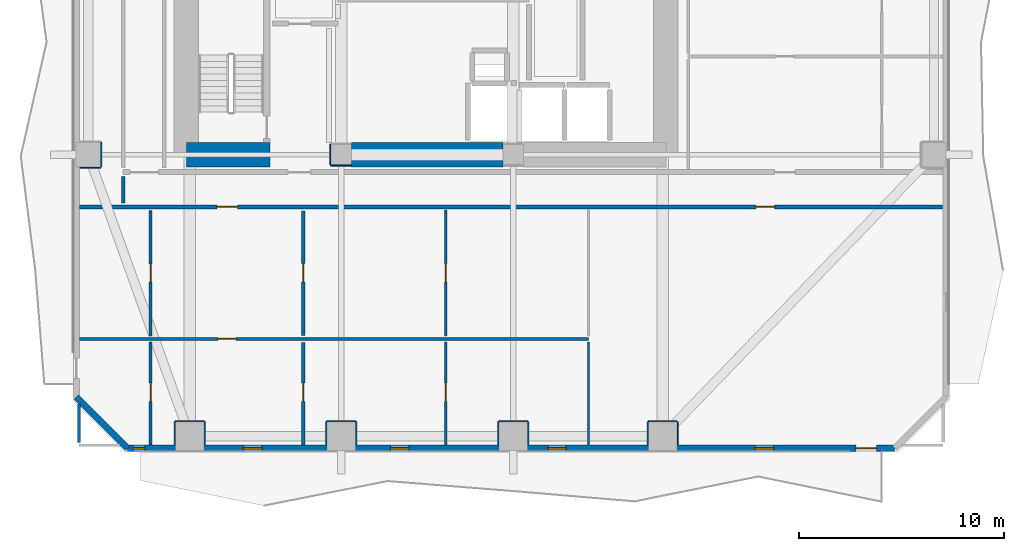
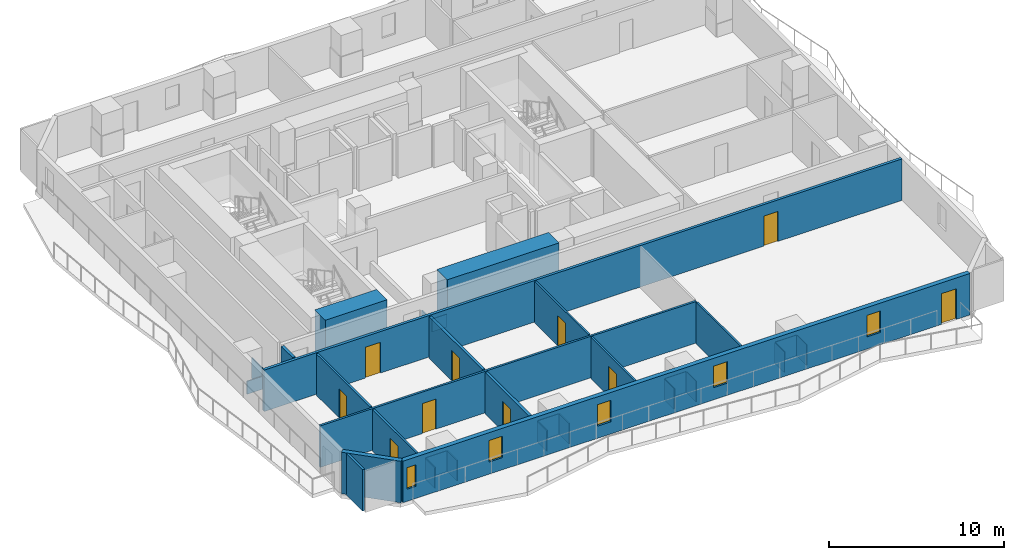
# One storey, part 2 of 9: 31 walls, 10 doors, 5 windows, 15 openings.
"""IFC4 building model written with IfcOpenShell, lengths in metres."""

from ifc_helpers import new_model, si_unit, direction, frame, frame_2d, origin, place, context, subcontext, project, spatial, rectangle, extrude, material, layer, layer_set, type_object, element, fill, save


model = new_model("IFC4")

# Units and contexts
model_context = context("Model", 3, precision=1e-05, world=origin(), true_north=direction((0.0, 1.0)))
body_context = subcontext(model_context, "Body", "Model", "MODEL_VIEW")
ifc_project = project(units=[si_unit("LENGTHUNIT", "METRE"), si_unit("AREAUNIT", "SQUARE_METRE"), si_unit("VOLUMEUNIT", "CUBIC_METRE"), si_unit("PLANEANGLEUNIT", "RADIAN"), si_unit("MASSUNIT", "GRAM", prefix="KILO")], contexts=[model_context])

# Site, building, storey
site_placement = place(None, origin())
site = spatial("IfcSite", under=ifc_project, at=site_placement, CompositionType="ELEMENT")
building_placement = place(site_placement, origin())
building = spatial("IfcBuilding", under=site, at=building_placement, Name="Solanera Arch Residences", CompositionType="ELEMENT")
storey_placement = place(building_placement, frame((0.0, 0.0, 58.52001953125)))
storey = spatial("IfcBuildingStorey", under=building, at=storey_placement, Name="L16", CompositionType="ELEMENT", Elevation=58.52001953125)

# Walls
ifc_material_1 = material(Name="Fire-Rated Gypsum Stud Partition", Category="gypsum")
ifc_layer_1 = layer(ifc_material_1, 0.06005859375)
ifc_layer_set_1 = layer_set([ifc_layer_1], Name="Fire-Rated Gypsum Stud Partition")
wall_type_1 = type_object("IfcWallType", Name="Column Acoustic Furring Wall 60", PredefinedType="PARTITIONING", material=ifc_layer_set_1)
wall_1_placement = place(storey_placement, frame((20.300048828125, 21.468017578125, 0.0), z_axis=(0.0, 0.0, 1.0), x_axis=(1.0, 0.0, 0.0)))
element("IfcWall", 1, at=wall_1_placement, inside=storey, type_object=wall_type_1, Name="L16 Column Furring 1S", PredefinedType="PARTITIONING", context=body_context, shape_type="SweptSolid", body=[
    extrude(rectangle(XDim=0.989990234375, YDim=0.06005859375, at=frame_2d((0.4951171875, 0.0))), origin(), (0.0, 0.0, 1.0), 0.905029296875),
])
wall_2_placement = place(storey_placement, frame((20.26806640625, 21.5, 0.0), z_axis=(0.0, 0.0, 1.0), x_axis=(0.0, 1.0, 0.0)))
element("IfcWall", 2, at=wall_2_placement, inside=storey, type_object=wall_type_1, Name="L16 Column Furring 1W", PredefinedType="PARTITIONING", context=body_context, shape_type="SweptSolid", body=[
    extrude(rectangle(XDim=1.0, YDim=0.06005859375, at=frame_2d((0.5, 0.0))), origin(), (0.0, 0.0, 1.0), 0.905029296875),
])
wall_3_placement = place(storey_placement, frame((12.699951171875, 8.98193359375, 0.0), z_axis=(0.0, 0.0, 1.0), x_axis=(1.0, 0.0, 0.0)))
element("IfcWall", 3, at=wall_3_placement, inside=storey, type_object=wall_type_1, Name="L16 Column Furring 9N", PredefinedType="PARTITIONING", context=body_context, shape_type="SweptSolid", body=[
    extrude(rectangle(XDim=1.400146484375, YDim=0.06005859375, at=frame_2d((0.7001953125, 0.0))), origin(), (0.0, 0.0, 1.0), 1.449951171875),
])
for number, where, z_axis, x_axis, name in (
    (4, (12.66796875, 7.830078125, 0.0), (0.0, 0.0, 1.0), (0.0, 1.0, 0.0), "L16 Column Furring 9W"),
    (5, (14.132080078125, 7.830078125, 0.0), (0.0, 0.0, 1.0), (0.0, 1.0, 0.0), "L16 Column Furring 9E"),
):
    element("IfcWall", number, at=place(storey_placement, frame(where, z_axis=z_axis, x_axis=x_axis)), inside=storey, type_object=wall_type_1, Name=name, PredefinedType="PARTITIONING", context=body_context, shape_type="SweptSolid", body=[
        extrude(rectangle(XDim=1.119873046875, YDim=0.06005859375, at=frame_2d((0.56005859375, 0.0))), origin(), (0.0, 0.0, 1.0), 1.449951171875),
    ])
wall_4_placement = place(storey_placement, frame((20.10009765625, 8.98193359375, 0.0), z_axis=(0.0, 0.0, 1.0), x_axis=(1.0, 0.0, 0.0)))
element("IfcWall", 6, at=wall_4_placement, inside=storey, type_object=wall_type_1, Name="L16 Column Furring 11N", PredefinedType="PARTITIONING", context=body_context, shape_type="SweptSolid", body=[
    extrude(rectangle(XDim=1.39990234375, YDim=0.06005859375, at=frame_2d((0.699951171875, 0.0))), origin(), (0.0, 0.0, 1.0), 1.449951171875),
])
for number, where, z_axis, x_axis, name in (
    (7, (20.068115234375, 7.830078125, 0.0), (0.0, 0.0, 1.0), (0.0, 1.0, 0.0), "L16 Column Furring 11W"),
    (8, (21.531982421875, 7.830078125, 0.0), (0.0, 0.0, 1.0), (0.0, 1.0, 0.0), "L16 Column Furring 11E"),
):
    element("IfcWall", number, at=place(storey_placement, frame(where, z_axis=z_axis, x_axis=x_axis)), inside=storey, type_object=wall_type_1, Name=name, PredefinedType="PARTITIONING", context=body_context, shape_type="SweptSolid", body=[
        extrude(rectangle(XDim=1.119873046875, YDim=0.06005859375, at=frame_2d((0.56005859375, 0.0))), origin(), (0.0, 0.0, 1.0), 1.449951171875),
    ])
wall_5_placement = place(storey_placement, frame((28.5, 8.98193359375, 0.0), z_axis=(0.0, 0.0, 1.0), x_axis=(1.0, 0.0, 0.0)))
element("IfcWall", 9, at=wall_5_placement, inside=storey, type_object=wall_type_1, Name="L16 Column Furring 13N", PredefinedType="PARTITIONING", context=body_context, shape_type="SweptSolid", body=[
    extrude(rectangle(XDim=1.39990234375, YDim=0.06005859375, at=frame_2d((0.699951171875, 0.0))), origin(), (0.0, 0.0, 1.0), 1.449951171875),
])
for number, where, z_axis, x_axis, name in (
    (10, (28.468017578125, 7.830078125, 0.0), (0.0, 0.0, 1.0), (0.0, 1.0, 0.0), "L16 Column Furring 13W"),
    (11, (29.931884765625, 7.830078125, 0.0), (0.0, 0.0, 1.0), (0.0, 1.0, 0.0), "L16 Column Furring 13E"),
):
    element("IfcWall", number, at=place(storey_placement, frame(where, z_axis=z_axis, x_axis=x_axis)), inside=storey, type_object=wall_type_1, Name=name, PredefinedType="PARTITIONING", context=body_context, shape_type="SweptSolid", body=[
        extrude(rectangle(XDim=1.119873046875, YDim=0.06005859375, at=frame_2d((0.56005859375, 0.0))), origin(), (0.0, 0.0, 1.0), 1.449951171875),
    ])
wall_6_placement = place(storey_placement, frame((35.800048828125, 8.98193359375, 0.0), z_axis=(0.0, 0.0, 1.0), x_axis=(1.0, 0.0, 0.0)))
element("IfcWall", 12, at=wall_6_placement, inside=storey, type_object=wall_type_1, Name="L16 Column Furring 15N", PredefinedType="PARTITIONING", context=body_context, shape_type="SweptSolid", body=[
    extrude(rectangle(XDim=1.39990234375, YDim=0.06005859375, at=frame_2d((0.699951171875, 0.0))), origin(), (0.0, 0.0, 1.0), 1.449951171875),
])
for number, where, z_axis, x_axis, name in (
    (13, (35.76806640625, 7.830078125, 0.0), (0.0, 0.0, 1.0), (0.0, 1.0, 0.0), "L16 Column Furring 15W"),
    (14, (37.23193359375, 7.830078125, 0.0), (0.0, 0.0, 1.0), (0.0, 1.0, 0.0), "L16 Column Furring 15E"),
):
    element("IfcWall", number, at=place(storey_placement, frame(where, z_axis=z_axis, x_axis=x_axis)), inside=storey, type_object=wall_type_1, Name=name, PredefinedType="PARTITIONING", context=body_context, shape_type="SweptSolid", body=[
        extrude(rectangle(XDim=1.119873046875, YDim=0.06005859375, at=frame_2d((0.56005859375, 0.0))), origin(), (0.0, 0.0, 1.0), 1.449951171875),
    ])
wall_7_placement = place(storey_placement, frame((8.030029296875, 21.367919921875, 0.0), z_axis=(0.0, 0.0, 1.0), x_axis=(1.0, 0.0, 0.0)))
element("IfcWall", 15, at=wall_7_placement, inside=storey, type_object=wall_type_1, Name="L16 Column Furring 17S", PredefinedType="PARTITIONING", context=body_context, shape_type="SweptSolid", body=[
    extrude(rectangle(XDim=1.02001953125, YDim=0.06005859375, at=frame_2d((0.510009765625, 0.0))), origin(), (0.0, 0.0, 1.0), 0.905029296875),
])
wall_8_placement = place(storey_placement, frame((9.08203125, 21.39990234375, 0.0), z_axis=(0.0, 0.0, 1.0), x_axis=(0.0, 1.0, 0.0)))
element("IfcWall", 16, at=wall_8_placement, inside=storey, type_object=wall_type_1, Name="L16 Column Furring 17E", PredefinedType="PARTITIONING", context=body_context, shape_type="SweptSolid", body=[
    extrude(rectangle(XDim=1.2001953125, YDim=0.06005859375, at=frame_2d((0.60009765625, 0.0))), origin(), (0.0, 0.0, 1.0), 1.449951171875),
])
ifc_material_2 = material(Name="Concrete C55/67 (f'c = 60 MPa)", Category="concrete")
ifc_layer_2 = layer(ifc_material_2, 1.199951171875)
ifc_layer_set_2 = layer_set([ifc_layer_2], Name="Concrete C55/67 (f'c = 60 MPa)")
wall_type_2 = type_object("IfcWallType", Name="Core Shear Wall CW-1200", PredefinedType="SHEAR", material=ifc_layer_set_2)
wall_9_placement = place(storey_placement, frame((13.239990234375, 22.0, 0.0), z_axis=(0.0, 0.0, 1.0), x_axis=(1.0, 0.0, 0.0)))
element("IfcWall", 17, at=wall_9_placement, inside=storey, type_object=wall_type_2, Name="L16 South-West Core Shear Wall", PredefinedType="SHEAR", context=body_context, shape_type="SweptSolid", body=[
    extrude(rectangle(XDim=4.080078125, YDim=1.199951171875, at=frame_2d((2.0400390625, 0.0))), origin(), (0.0, 0.0, 1.0), 3.320068359375),
])
wall_10_placement = place(storey_placement, frame((21.304931640625, 22.0, 0.0), z_axis=(0.0, 0.0, 1.0), x_axis=(1.0, 0.0, 0.0)))
element("IfcWall", 18, at=wall_10_placement, inside=storey, type_object=wall_type_2, Name="L16 Central South Core Shear Wall", PredefinedType="SHEAR", context=body_context, shape_type="SweptSolid", body=[
    extrude(rectangle(XDim=7.39013671875, YDim=1.199951171875, at=frame_2d((3.695068359375, 0.0))), origin(), (0.0, 0.0, 1.0), 3.320068359375),
])

# Wall, openings, doors
ifc_material_3 = material(Name="Autoclaved Aerated Concrete Blockwork", Category="masonry")
ifc_layer_3 = layer(ifc_material_3, 0.179931640625)
ifc_layer_set_3 = layer_set([ifc_layer_3], Name="Autoclaved Aerated Concrete Blockwork")
wall_type_3 = type_object("IfcWallType", Name="Corridor Fire Partition 180", PredefinedType="PARTITIONING", material=ifc_layer_set_3)
wall_11_placement = place(storey_placement, frame((8.027099609375, 19.449951171875, 0.0), z_axis=(0.0, 0.0, 1.0), x_axis=(1.0, 0.0, 0.0)))
wall_11 = element("IfcWall", 19, at=wall_11_placement, inside=storey, type_object=wall_type_3, Name="L16 Interior Partition H6", PredefinedType="PARTITIONING", context=body_context, shape_type="SweptSolid", body=[
    extrude(rectangle(XDim=42.14599609375, YDim=0.179931640625, at=frame_2d((21.072998046875, 0.0))), origin(), (0.0, 0.0, 1.0), 2.89990234375),
])
opening_1_placement = place(wall_11_placement, frame((6.697021484375, 0.0, 0.0)))
opening_1 = element("IfcOpeningElement", 20, at=opening_1_placement, cuts=wall_11, Name="Opening DI-01", PredefinedType="OPENING", context=body_context, shape_type="SweptSolid", body=[
    extrude(rectangle(XDim=1.0, YDim=2.14990234375, at=frame_2d((0.5, 1.074951171875))), frame((0.0, 0.10009765625, 0.0), z_axis=(0.0, -1.0, 0.0), x_axis=(1.0, 0.0, 0.0)), (0.0, 0.0, 1.0), 0.1999),
])
opening_2_placement = place(wall_11_placement, frame((33.0380859375, 0.0, 0.0)))
opening_2 = element("IfcOpeningElement", 21, at=opening_2_placement, cuts=wall_11, Name="Opening DI-02", PredefinedType="OPENING", context=body_context, shape_type="SweptSolid", body=[
    extrude(rectangle(XDim=0.89990234375, YDim=2.10009765625, at=frame_2d((0.449951171875, 1.050048828125))), frame((0.0, 0.10009765625, 0.0), z_axis=(0.0, -1.0, 0.0), x_axis=(1.0, 0.0, 0.0)), (0.0, 0.0, 1.0), 0.1999),
])
ifc_material_4 = material(Name="Fire-Rated Architectural Hardwood", Category="wood")
door_type_1 = type_object("IfcDoorType", Name="Suite Room Swing Door DI-02", OperationType="NOTDEFINED", PredefinedType="DOOR", material=ifc_material_4)
door_1_placement = place(opening_2_placement, origin())
door_1 = element("IfcDoor", 22, at=door_1_placement, inside=storey, type_object=door_type_1, Name="DR-L16-IN-021", OperationType="SINGLE_SWING_RIGHT", OverallHeight=2.10009765625, OverallWidth=0.89990234375, PredefinedType="DOOR", context=body_context, shape_type="SweptSolid", body=[
    extrude(rectangle(XDim=0.89990234375, YDim=2.10009765625, at=frame_2d((0.449951171875, 1.050048828125))), frame((0.0, 0.02490234375, 0.0), z_axis=(0.0, -1.0, 0.0), x_axis=(1.0, 0.0, 0.0)), (0.0, 0.0, 1.0), 0.050048828125),
])
fill(opening_2, door_1)
ifc_material_5 = material(Name="Fire-Rated Architectural Hardwood", Category="wood")
door_type_2 = type_object("IfcDoorType", Name="Unit Entrance Fire Door DI-01", OperationType="NOTDEFINED", PredefinedType="DOOR", material=ifc_material_5)
door_2_placement = place(opening_1_placement, origin())
door_2 = element("IfcDoor", 23, at=door_2_placement, inside=storey, type_object=door_type_2, Name="DR-L16-IN-013", OperationType="SINGLE_SWING_RIGHT", OverallHeight=2.14990234375, OverallWidth=1.0, PredefinedType="DOOR", context=body_context, shape_type="SweptSolid", body=[
    extrude(rectangle(XDim=1.0, YDim=2.14990234375, at=frame_2d((0.5, 1.074951171875))), frame((0.0, 0.02490234375, 0.0), z_axis=(0.0, -1.0, 0.0), x_axis=(1.0, 0.0, 0.0)), (0.0, 0.0, 1.0), 0.050048828125),
])
fill(opening_1, door_2)

# Wall
wall_12_placement = place(storey_placement, frame((10.14990234375, 19.637939453125, 0.0), z_axis=(0.0, 0.0, 1.0), x_axis=(0.0, 1.0, 0.0)))
element("IfcWall", 24, at=wall_12_placement, inside=storey, type_object=wall_type_3, Name="L16 Interior Partition V6 1", PredefinedType="PARTITIONING", context=body_context, shape_type="SweptSolid", body=[
    extrude(rectangle(XDim=1.2939453125, YDim=0.179931640625, at=frame_2d((0.64697265625, 0.0))), origin(), (0.0, 0.0, 1.0), 2.89990234375),
])

# Wall, opening, door
wall_13_placement = place(storey_placement, frame((18.949951171875, 7.826904296875, 0.0), z_axis=(0.0, 0.0, 1.0), x_axis=(0.0, 1.0, 0.0)))
wall_13 = element("IfcWall", 25, at=wall_13_placement, inside=storey, type_object=wall_type_3, Name="L16 Interior Partition V8 1", PredefinedType="PARTITIONING", context=body_context, shape_type="SweptSolid", body=[
    extrude(rectangle(XDim=5.005126953125, YDim=0.179931640625, at=frame_2d((2.50244140625, 0.0))), origin(), (0.0, 0.0, 1.0), 2.89990234375),
])
opening_3_placement = place(wall_13_placement, frame((2.123046875, 0.0, 0.0)))
opening_3 = element("IfcOpeningElement", 26, at=opening_3_placement, cuts=wall_13, Name="Opening DI-03", PredefinedType="OPENING", context=body_context, shape_type="SweptSolid", body=[
    extrude(rectangle(XDim=0.89990234375, YDim=2.10009765625, at=frame_2d((0.449951171875, 1.050048828125))), frame((0.0, 0.10009765625, 0.0), z_axis=(0.0, -1.0, 0.0), x_axis=(1.0, 0.0, 0.0)), (0.0, 0.0, 1.0), 0.1999),
])
ifc_material_6 = material(Name="Fire-Rated Architectural Hardwood", Category="wood")
door_type_3 = type_object("IfcDoorType", Name="Bedroom Swing Door DI-03", OperationType="NOTDEFINED", PredefinedType="DOOR", material=ifc_material_6)
door_3_placement = place(opening_3_placement, origin())
door_3 = element("IfcDoor", 27, at=door_3_placement, inside=storey, type_object=door_type_3, Name="DR-L16-IN-019", OperationType="SINGLE_SWING_RIGHT", OverallHeight=2.10009765625, OverallWidth=0.89990234375, PredefinedType="DOOR", context=body_context, shape_type="SweptSolid", body=[
    extrude(rectangle(XDim=0.89990234375, YDim=2.10009765625, at=frame_2d((0.449951171875, 1.050048828125))), frame((0.0, 0.02490234375, 0.0), z_axis=(0.0, -1.0, 0.0), x_axis=(1.0, 0.0, 0.0)), (0.0, 0.0, 1.0), 0.050048828125),
])
fill(opening_3, door_3)

wall_14_placement = place(storey_placement, frame((18.949951171875, 13.16796875, 0.0), z_axis=(0.0, 0.0, 1.0), x_axis=(0.0, 1.0, 0.0)))
wall_14 = element("IfcWall", 28, at=wall_14_placement, inside=storey, type_object=wall_type_3, Name="L16 Interior Partition V8 2", PredefinedType="PARTITIONING", context=body_context, shape_type="SweptSolid", body=[
    extrude(rectangle(XDim=6.093994140625, YDim=0.179931640625, at=frame_2d((3.046875, 0.0))), origin(), (0.0, 0.0, 1.0), 2.89990234375),
])
opening_4_placement = place(wall_14_placement, frame((2.60693359375, 0.0, 0.0)))
opening_4 = element("IfcOpeningElement", 29, at=opening_4_placement, cuts=wall_14, Name="Opening DI-02", PredefinedType="OPENING", context=body_context, shape_type="SweptSolid", body=[
    extrude(rectangle(XDim=0.89990234375, YDim=2.10009765625, at=frame_2d((0.449951171875, 1.050048828125))), frame((0.0, 0.10009765625, 0.0), z_axis=(0.0, -1.0, 0.0), x_axis=(1.0, 0.0, 0.0)), (0.0, 0.0, 1.0), 0.1999),
])
door_4_placement = place(opening_4_placement, origin())
door_4 = element("IfcDoor", 30, at=door_4_placement, inside=storey, type_object=door_type_1, Name="DR-L16-IN-017", OperationType="SINGLE_SWING_RIGHT", OverallHeight=2.10009765625, OverallWidth=0.89990234375, PredefinedType="DOOR", context=body_context, shape_type="SweptSolid", body=[
    extrude(rectangle(XDim=0.89990234375, YDim=2.10009765625, at=frame_2d((0.449951171875, 1.050048828125))), frame((0.0, 0.02490234375, 0.0), z_axis=(0.0, -1.0, 0.0), x_axis=(1.0, 0.0, 0.0)), (0.0, 0.0, 1.0), 0.050048828125),
])
fill(opening_4, door_4)

# Wall, openings, door, windows
ifc_material_7 = material(Name="Precast Concrete C35/45", Category="concrete")
ifc_layer_4 = layer(ifc_material_7, 0.300048828125)
ifc_layer_set_4 = layer_set([ifc_layer_4], Name="Precast Concrete C35/45")
wall_type_4 = type_object("IfcWallType", Name="Exterior Wall Precast Masonry-Frame 300", PredefinedType="STANDARD", material=ifc_layer_set_4)
wall_15_placement = place(storey_placement, frame((47.8349609375, 7.6650390625, 0.0), z_axis=(0.0, 0.0, 1.0), x_axis=(-1.0, 0.0, 0.0)))
wall_15 = element("IfcWall", 31, at=wall_15_placement, inside=storey, type_object=wall_type_4, Name="L16 Tower Exterior Precast Masonry-Frame Wall S", PredefinedType="STANDARD", context=body_context, shape_type="SweptSolid", body=[
    extrude(rectangle(XDim=37.469970703125, YDim=0.300048828125, at=frame_2d((18.73486328125, 0.0))), origin(), (0.0, 0.0, 1.0), 2.89990234375),
])
opening_5_placement = place(wall_15_placement, frame((0.90087890625, 0.0, 0.0)))
opening_5 = element("IfcOpeningElement", 32, at=opening_5_placement, cuts=wall_15, Name="Opening DB-01", PredefinedType="OPENING", context=body_context, shape_type="SweptSolid", body=[
    extrude(rectangle(XDim=1.0, YDim=2.14990234375, at=frame_2d((0.5, 1.074951171875))), frame((0.0, 0.159912109375, 0.0), z_axis=(0.0, -1.0, 0.0), x_axis=(1.0, 0.0, 0.0)), (0.0, 0.0, 1.0), 0.32),
])
opening_6_placement = place(wall_15_placement, frame((30.906982421875, 0.0, 0.85009765625)))
opening_6 = element("IfcOpeningElement", 33, at=opening_6_placement, cuts=wall_15, Name="Opening W-06", PredefinedType="OPENING", context=body_context, shape_type="SweptSolid", body=[
    extrude(rectangle(XDim=0.89990234375, YDim=1.5, at=frame_2d((0.449951171875, 0.75))), frame((0.0, 0.159912109375, 0.0), z_axis=(0.0, -1.0, 0.0), x_axis=(1.0, 0.0, 0.0)), (0.0, 0.0, 1.0), 0.32),
])
opening_7_placement = place(wall_15_placement, frame((36.6220703125, 0.0, 0.85009765625)))
opening_7 = element("IfcOpeningElement", 34, at=opening_7_placement, cuts=wall_15, Name="Opening W-14", PredefinedType="OPENING", context=body_context, shape_type="SweptSolid", body=[
    extrude(rectangle(XDim=0.580078125, YDim=1.5, at=frame_2d((0.2900390625, 0.75))), frame((0.0, 0.159912109375, 0.0), z_axis=(0.0, -1.0, 0.0), x_axis=(1.0, 0.0, 0.0)), (0.0, 0.0, 1.0), 0.32),
])
opening_8_placement = place(wall_15_placement, frame((23.72607421875, 0.0, 0.85009765625)))
opening_8 = element("IfcOpeningElement", 35, at=opening_8_placement, cuts=wall_15, Name="Opening W-06", PredefinedType="OPENING", context=body_context, shape_type="SweptSolid", body=[
    extrude(rectangle(XDim=0.89990234375, YDim=1.5, at=frame_2d((0.449951171875, 0.75))), frame((0.0, 0.159912109375, 0.0), z_axis=(0.0, -1.0, 0.0), x_axis=(1.0, 0.0, 0.0)), (0.0, 0.0, 1.0), 0.32),
])
opening_9_placement = place(wall_15_placement, frame((16.0458984375, 0.0, 0.85009765625)))
opening_9 = element("IfcOpeningElement", 36, at=opening_9_placement, cuts=wall_15, Name="Opening W-06", PredefinedType="OPENING", context=body_context, shape_type="SweptSolid", body=[
    extrude(rectangle(XDim=0.89990234375, YDim=1.5, at=frame_2d((0.449951171875, 0.75))), frame((0.0, 0.159912109375, 0.0), z_axis=(0.0, -1.0, 0.0), x_axis=(1.0, 0.0, 0.0)), (0.0, 0.0, 1.0), 0.32),
])
opening_10_placement = place(wall_15_placement, frame((5.91796875, 0.0, 0.85009765625)))
opening_10 = element("IfcOpeningElement", 37, at=opening_10_placement, cuts=wall_15, Name="Opening W-06", PredefinedType="OPENING", context=body_context, shape_type="SweptSolid", body=[
    extrude(rectangle(XDim=0.89990234375, YDim=1.5, at=frame_2d((0.449951171875, 0.75))), frame((0.0, 0.159912109375, 0.0), z_axis=(0.0, -1.0, 0.0), x_axis=(1.0, 0.0, 0.0)), (0.0, 0.0, 1.0), 0.32),
])
ifc_material_8 = material(Name="Anodised Aluminium Alloy 6063-T6", Category="aluminium")
door_type_4 = type_object("IfcDoorType", Name="Glazed Balcony Swing Door DB-01", OperationType="NOTDEFINED", PredefinedType="DOOR", material=ifc_material_8)
door_5_placement = place(opening_5_placement, origin())
door_5 = element("IfcDoor", 38, at=door_5_placement, inside=storey, type_object=door_type_4, Name="DR-L16-OUT-01", OperationType="SINGLE_SWING_RIGHT", OverallHeight=2.14990234375, OverallWidth=1.0, PredefinedType="DOOR", context=body_context, shape_type="SweptSolid", body=[
    extrude(rectangle(XDim=1.0, YDim=2.14990234375, at=frame_2d((0.5, 1.074951171875))), frame((0.0, 0.02490234375, 0.0), z_axis=(0.0, -1.0, 0.0), x_axis=(1.0, 0.0, 0.0)), (0.0, 0.0, 1.0), 0.050048828125),
])
fill(opening_5, door_5)
ifc_material_9 = material(Name="Double Glazed Low-E Laminated Glass", Category="glass")
window_type_1 = type_object("IfcWindowType", Name="Punched Window W-06", PartitioningType="SINGLE_PANEL", PredefinedType="WINDOW", material=ifc_material_9)
window_1_placement = place(opening_6_placement, origin())
window_1 = element("IfcWindow", 39, at=window_1_placement, inside=storey, type_object=window_type_1, Name="L16 1601-LIV Punched Window", OverallHeight=1.5, OverallWidth=0.89990234375, PartitioningType="SINGLE_PANEL", PredefinedType="WINDOW", context=body_context, shape_type="SweptSolid", body=[
    extrude(rectangle(XDim=0.89990234375, YDim=1.5, at=frame_2d((0.449951171875, 0.75))), frame((0.0, 0.030029296875, 0.0), z_axis=(0.0, -1.0, 0.0), x_axis=(1.0, 0.0, 0.0)), (0.0, 0.0, 1.0), 0.06005859375),
])
fill(opening_6, window_1)
window_2_placement = place(opening_8_placement, origin())
window_2 = element("IfcWindow", 40, at=window_2_placement, inside=storey, type_object=window_type_1, Name="L16 1601-BR2 Punched Window", OverallHeight=1.5, OverallWidth=0.89990234375, PartitioningType="SINGLE_PANEL", PredefinedType="WINDOW", context=body_context, shape_type="SweptSolid", body=[
    extrude(rectangle(XDim=0.89990234375, YDim=1.5, at=frame_2d((0.449951171875, 0.75))), frame((0.0, 0.030029296875, 0.0), z_axis=(0.0, -1.0, 0.0), x_axis=(1.0, 0.0, 0.0)), (0.0, 0.0, 1.0), 0.06005859375),
])
fill(opening_8, window_2)
window_3_placement = place(opening_9_placement, origin())
window_3 = element("IfcWindow", 41, at=window_3_placement, inside=storey, type_object=window_type_1, Name="L16 1601-BR3 Punched Window", OverallHeight=1.5, OverallWidth=0.89990234375, PartitioningType="SINGLE_PANEL", PredefinedType="WINDOW", context=body_context, shape_type="SweptSolid", body=[
    extrude(rectangle(XDim=0.89990234375, YDim=1.5, at=frame_2d((0.449951171875, 0.75))), frame((0.0, 0.030029296875, 0.0), z_axis=(0.0, -1.0, 0.0), x_axis=(1.0, 0.0, 0.0)), (0.0, 0.0, 1.0), 0.06005859375),
])
fill(opening_9, window_3)
window_4_placement = place(opening_10_placement, origin())
window_4 = element("IfcWindow", 42, at=window_4_placement, inside=storey, type_object=window_type_1, Name="L16 AMN-LNG Punched Window", OverallHeight=1.5, OverallWidth=0.89990234375, PartitioningType="SINGLE_PANEL", PredefinedType="WINDOW", context=body_context, shape_type="SweptSolid", body=[
    extrude(rectangle(XDim=0.89990234375, YDim=1.5, at=frame_2d((0.449951171875, 0.75))), frame((0.0, 0.030029296875, 0.0), z_axis=(0.0, -1.0, 0.0), x_axis=(1.0, 0.0, 0.0)), (0.0, 0.0, 1.0), 0.06005859375),
])
fill(opening_10, window_4)
ifc_material_10 = material(Name="Double Glazed Low-E Laminated Glass", Category="glass")
window_type_2 = type_object("IfcWindowType", Name="Punched Window W-14", PartitioningType="SINGLE_PANEL", PredefinedType="WINDOW", material=ifc_material_10)
window_5_placement = place(opening_7_placement, origin())
window_5 = element("IfcWindow", 43, at=window_5_placement, inside=storey, type_object=window_type_2, Name="L16 1601-BR1 Punched Window", OverallHeight=1.5, OverallWidth=0.580078125, PartitioningType="SINGLE_PANEL", PredefinedType="WINDOW", context=body_context, shape_type="SweptSolid", body=[
    extrude(rectangle(XDim=0.580078125, YDim=1.5, at=frame_2d((0.2900390625, 0.75))), frame((0.0, 0.030029296875, 0.0), z_axis=(0.0, -1.0, 0.0), x_axis=(1.0, 0.0, 0.0)), (0.0, 0.0, 1.0), 0.06005859375),
])
fill(opening_7, window_5)

# Wall
wall_16_placement = place(storey_placement, frame((10.364990234375, 7.6650390625, 0.0), z_axis=(0.0, 0.0, 1.0), x_axis=(-0.707106781187, 0.707106781187, 0.0)))
element("IfcWall", 44, at=wall_16_placement, inside=storey, type_object=wall_type_4, Name="L16 Tower Exterior Precast Masonry-Frame Wall CH7", PredefinedType="STANDARD", context=body_context, shape_type="SweptSolid", body=[
    extrude(rectangle(XDim=3.53564453125, YDim=0.300048828125, at=frame_2d((1.767822265625, 0.0))), origin(), (0.0, 0.0, 1.0), 2.89990234375),
])

# Wall, opening, door
ifc_material_11 = material(Name="Fire-Rated Gypsum Stud Partition", Category="gypsum")
ifc_layer_5 = layer(ifc_material_11, 0.1201171875)
ifc_layer_set_5 = layer_set([ifc_layer_5], Name="Fire-Rated Gypsum Stud Partition")
wall_type_5 = type_object("IfcWallType", Name="Unit Drywall Partition 120", PredefinedType="PARTITIONING", material=ifc_layer_set_5)
wall_17_placement = place(storey_placement, frame((25.9169921875, 7.826904296875, 0.0), z_axis=(0.0, 0.0, 1.0), x_axis=(0.0, 1.0, 0.0)))
wall_17 = element("IfcWall", 45, at=wall_17_placement, inside=storey, type_object=wall_type_5, Name="L16 Interior Partition V19 1", PredefinedType="PARTITIONING", context=body_context, shape_type="SweptSolid", body=[
    extrude(rectangle(XDim=5.03515625, YDim=0.1201171875, at=frame_2d((2.517578125, 0.0))), origin(), (0.0, 0.0, 1.0), 2.89990234375),
])
opening_11_placement = place(wall_17_placement, frame((2.123046875, 0.0, 0.0)))
opening_11 = element("IfcOpeningElement", 46, at=opening_11_placement, cuts=wall_17, Name="Opening DI-03", PredefinedType="OPENING", context=body_context, shape_type="SweptSolid", body=[
    extrude(rectangle(XDim=0.89990234375, YDim=2.10009765625, at=frame_2d((0.449951171875, 1.050048828125))), frame((0.0, 0.070068359375, 0.0), z_axis=(0.0, -1.0, 0.0), x_axis=(1.0, 0.0, 0.0)), (0.0, 0.0, 1.0), 0.1401),
])
door_6_placement = place(opening_11_placement, origin())
door_6 = element("IfcDoor", 47, at=door_6_placement, inside=storey, type_object=door_type_3, Name="DR-L16-IN-020", OperationType="SINGLE_SWING_LEFT", OverallHeight=2.10009765625, OverallWidth=0.89990234375, PredefinedType="DOOR", context=body_context, shape_type="SweptSolid", body=[
    extrude(rectangle(XDim=0.89990234375, YDim=2.10009765625, at=frame_2d((0.449951171875, 1.050048828125))), frame((0.0, 0.02490234375, 0.0), z_axis=(0.0, -1.0, 0.0), x_axis=(1.0, 0.0, 0.0)), (0.0, 0.0, 1.0), 0.050048828125),
])
fill(opening_11, door_6)

wall_18_placement = place(storey_placement, frame((25.9169921875, 13.137939453125, 0.0), z_axis=(0.0, 0.0, 1.0), x_axis=(0.0, 1.0, 0.0)))
wall_18 = element("IfcWall", 48, at=wall_18_placement, inside=storey, type_object=wall_type_5, Name="L16 Interior Partition V19 2", PredefinedType="PARTITIONING", context=body_context, shape_type="SweptSolid", body=[
    extrude(rectangle(XDim=6.154052734375, YDim=0.1201171875, at=frame_2d((3.0771484375, 0.0))), origin(), (0.0, 0.0, 1.0), 2.89990234375),
])
opening_12_placement = place(wall_18_placement, frame((2.636962890625, 0.0, 0.0)))
opening_12 = element("IfcOpeningElement", 49, at=opening_12_placement, cuts=wall_18, Name="Opening DI-02", PredefinedType="OPENING", context=body_context, shape_type="SweptSolid", body=[
    extrude(rectangle(XDim=0.89990234375, YDim=2.10009765625, at=frame_2d((0.449951171875, 1.050048828125))), frame((0.0, 0.070068359375, 0.0), z_axis=(0.0, -1.0, 0.0), x_axis=(1.0, 0.0, 0.0)), (0.0, 0.0, 1.0), 0.1401),
])
door_7_placement = place(opening_12_placement, origin())
door_7 = element("IfcDoor", 50, at=door_7_placement, inside=storey, type_object=door_type_1, Name="DR-L16-IN-018", OperationType="SINGLE_SWING_LEFT", OverallHeight=2.10009765625, OverallWidth=0.89990234375, PredefinedType="DOOR", context=body_context, shape_type="SweptSolid", body=[
    extrude(rectangle(XDim=0.89990234375, YDim=2.10009765625, at=frame_2d((0.449951171875, 1.050048828125))), frame((0.0, 0.02490234375, 0.0), z_axis=(0.0, -1.0, 0.0), x_axis=(1.0, 0.0, 0.0)), (0.0, 0.0, 1.0), 0.050048828125),
])
fill(opening_12, door_7)

# Wall
wall_19_placement = place(storey_placement, frame((32.87890625, 7.826904296875, 0.0), z_axis=(0.0, 0.0, 1.0), x_axis=(0.0, 1.0, 0.0)))
element("IfcWall", 51, at=wall_19_placement, inside=storey, type_object=wall_type_5, Name="L16 Interior Partition V20 1", PredefinedType="PARTITIONING", context=body_context, shape_type="SweptSolid", body=[
    extrude(rectangle(XDim=5.03515625, YDim=0.1201171875, at=frame_2d((2.517578125, 0.0))), origin(), (0.0, 0.0, 1.0), 2.89990234375),
])

# Wall, opening, door
ifc_material_12 = material(Name="Autoclaved Aerated Concrete Blockwork", Category="masonry")
ifc_layer_6 = layer(ifc_material_12, 0.139892578125)
ifc_layer_set_6 = layer_set([ifc_layer_6], Name="Autoclaved Aerated Concrete Blockwork")
wall_type_6 = type_object("IfcWallType", Name="Wet-Room Partition 140", PredefinedType="PARTITIONING", material=ifc_layer_set_6)
wall_20_placement = place(storey_placement, frame((8.027099609375, 13.0, 0.0), z_axis=(0.0, 0.0, 1.0), x_axis=(1.0, 0.0, 0.0)))
wall_20 = element("IfcWall", 52, at=wall_20_placement, inside=storey, type_object=wall_type_6, Name="L16 Interior Partition H12", PredefinedType="PARTITIONING", context=body_context, shape_type="SweptSolid", body=[
    extrude(rectangle(XDim=24.851806640625, YDim=0.139892578125, at=frame_2d((12.42578125, 0.0))), origin(), (0.0, 0.0, 1.0), 2.89990234375),
])
opening_13_placement = place(wall_20_placement, frame((6.7470703125, 0.0, 0.0)))
opening_13 = element("IfcOpeningElement", 53, at=opening_13_placement, cuts=wall_20, Name="Opening DI-02", PredefinedType="OPENING", context=body_context, shape_type="SweptSolid", body=[
    extrude(rectangle(XDim=0.89990234375, YDim=2.10009765625, at=frame_2d((0.449951171875, 1.050048828125))), frame((0.0, 0.079833984375, 0.0), z_axis=(0.0, -1.0, 0.0), x_axis=(1.0, 0.0, 0.0)), (0.0, 0.0, 1.0), 0.1599),
])
door_8_placement = place(opening_13_placement, origin())
door_8 = element("IfcDoor", 54, at=door_8_placement, inside=storey, type_object=door_type_1, Name="DR-L16-IN-014", OperationType="SINGLE_SWING_LEFT", OverallHeight=2.10009765625, OverallWidth=0.89990234375, PredefinedType="DOOR", context=body_context, shape_type="SweptSolid", body=[
    extrude(rectangle(XDim=0.89990234375, YDim=2.10009765625, at=frame_2d((0.449951171875, 1.050048828125))), frame((0.0, 0.02490234375, 0.0), z_axis=(0.0, -1.0, 0.0), x_axis=(1.0, 0.0, 0.0)), (0.0, 0.0, 1.0), 0.050048828125),
])
fill(opening_13, door_8)

# Wall
wall_21_placement = place(storey_placement, frame((8.0, 7.93798828125, 0.0), z_axis=(0.0, 0.0, 1.0), x_axis=(0.0, 1.0, 0.0)))
element("IfcWall", 55, at=wall_21_placement, inside=storey, type_object=wall_type_6, Name="L16 Interior Partition V11", PredefinedType="PARTITIONING", context=body_context, shape_type="SweptSolid", body=[
    extrude(rectangle(XDim=1.863037109375, YDim=0.139892578125, at=frame_2d((0.931640625, 0.0))), origin(), (0.0, 0.0, 1.0), 2.89990234375),
])

# Wall, opening, door
wall_22_placement = place(storey_placement, frame((11.491943359375, 7.826904296875, 0.0), z_axis=(0.0, 0.0, 1.0), x_axis=(0.0, 1.0, 0.0)))
wall_22 = element("IfcWall", 56, at=wall_22_placement, inside=storey, type_object=wall_type_6, Name="L16 Interior Partition V14 1", PredefinedType="PARTITIONING", context=body_context, shape_type="SweptSolid", body=[
    extrude(rectangle(XDim=5.025146484375, YDim=0.139892578125, at=frame_2d((2.5126953125, 0.0))), origin(), (0.0, 0.0, 1.0), 2.89990234375),
])
opening_14_placement = place(wall_22_placement, frame((2.123046875, 0.0, 0.0)))
opening_14 = element("IfcOpeningElement", 57, at=opening_14_placement, cuts=wall_22, Name="Opening DI-03", PredefinedType="OPENING", context=body_context, shape_type="SweptSolid", body=[
    extrude(rectangle(XDim=0.89990234375, YDim=2.10009765625, at=frame_2d((0.449951171875, 1.050048828125))), frame((0.0, 0.079833984375, 0.0), z_axis=(0.0, -1.0, 0.0), x_axis=(1.0, 0.0, 0.0)), (0.0, 0.0, 1.0), 0.1599),
])
door_9_placement = place(opening_14_placement, origin())
door_9 = element("IfcDoor", 58, at=door_9_placement, inside=storey, type_object=door_type_3, Name="DR-L16-IN-016", OperationType="SINGLE_SWING_LEFT", OverallHeight=2.10009765625, OverallWidth=0.89990234375, PredefinedType="DOOR", context=body_context, shape_type="SweptSolid", body=[
    extrude(rectangle(XDim=0.89990234375, YDim=2.10009765625, at=frame_2d((0.449951171875, 1.050048828125))), frame((0.0, 0.02490234375, 0.0), z_axis=(0.0, -1.0, 0.0), x_axis=(1.0, 0.0, 0.0)), (0.0, 0.0, 1.0), 0.050048828125),
])
fill(opening_14, door_9)

wall_23_placement = place(storey_placement, frame((11.491943359375, 13.14794921875, 0.0), z_axis=(0.0, 0.0, 1.0), x_axis=(0.0, 1.0, 0.0)))
wall_23 = element("IfcWall", 59, at=wall_23_placement, inside=storey, type_object=wall_type_6, Name="L16 Interior Partition V14 2", PredefinedType="PARTITIONING", context=body_context, shape_type="SweptSolid", body=[
    extrude(rectangle(XDim=6.134033203125, YDim=0.139892578125, at=frame_2d((3.06689453125, 0.0))), origin(), (0.0, 0.0, 1.0), 2.89990234375),
])
opening_15_placement = place(wall_23_placement, frame((2.64697265625, 0.0, 0.0)))
opening_15 = element("IfcOpeningElement", 60, at=opening_15_placement, cuts=wall_23, Name="Opening DI-05", PredefinedType="OPENING", context=body_context, shape_type="SweptSolid", body=[
    extrude(rectangle(XDim=0.860107421875, YDim=2.02001953125, at=frame_2d((0.43017578125, 1.010009765625))), frame((0.0, 0.079833984375, 0.0), z_axis=(0.0, -1.0, 0.0), x_axis=(1.0, 0.0, 0.0)), (0.0, 0.0, 1.0), 0.1599),
])
ifc_material_13 = material(Name="Fire-Rated Architectural Hardwood", Category="wood")
door_type_5 = type_object("IfcDoorType", Name="Bathroom Swing Door DI-05", OperationType="NOTDEFINED", PredefinedType="DOOR", material=ifc_material_13)
door_10_placement = place(opening_15_placement, origin())
door_10 = element("IfcDoor", 61, at=door_10_placement, inside=storey, type_object=door_type_5, Name="DR-L16-IN-015", OperationType="SINGLE_SWING_RIGHT", OverallHeight=2.02001953125, OverallWidth=0.860107421875, PredefinedType="DOOR", context=body_context, shape_type="SweptSolid", body=[
    extrude(rectangle(XDim=0.860107421875, YDim=2.02001953125, at=frame_2d((0.43017578125, 1.010009765625))), frame((0.0, 0.02490234375, 0.0), z_axis=(0.0, -1.0, 0.0), x_axis=(1.0, 0.0, 0.0)), (0.0, 0.0, 1.0), 0.050048828125),
])
fill(opening_15, door_10)

save(model, "model.ifc")
